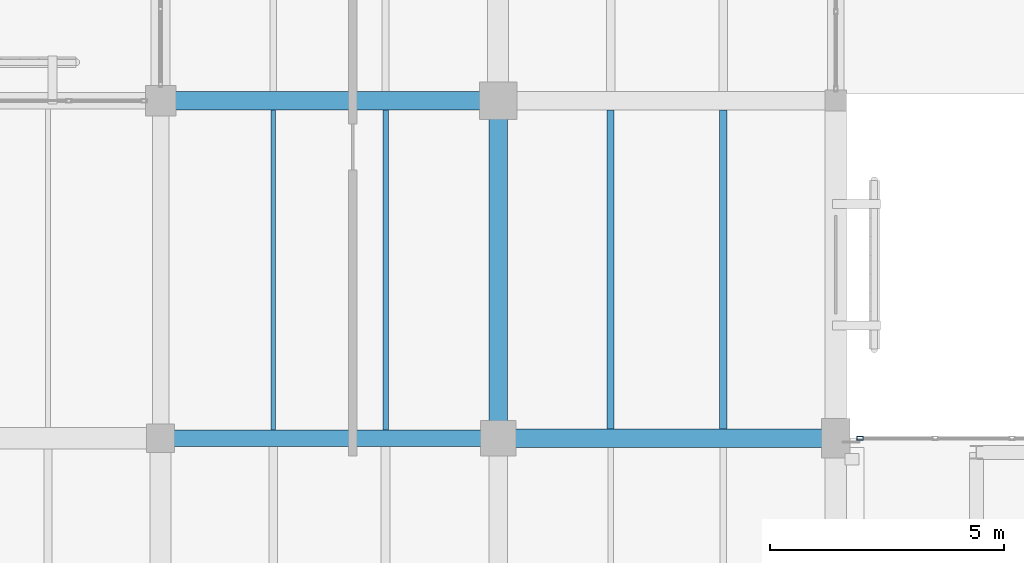
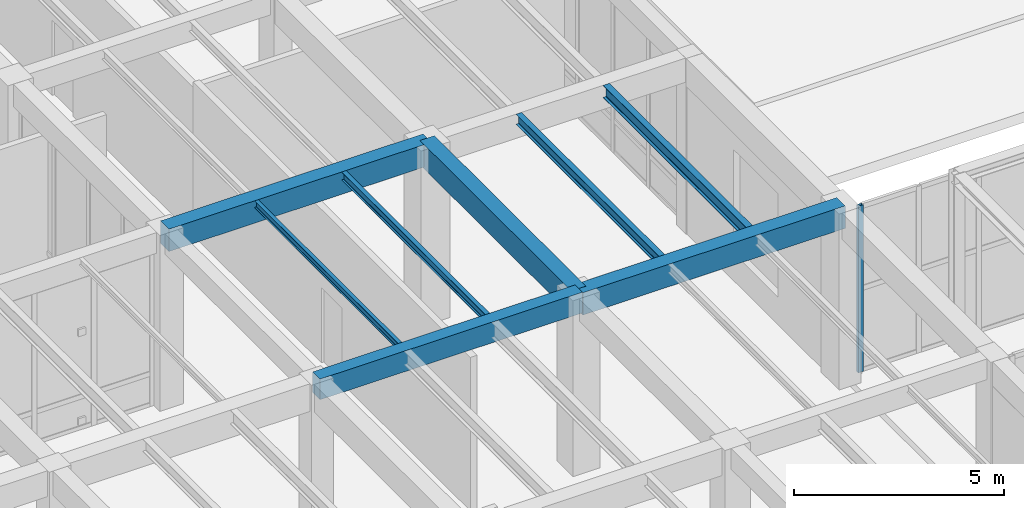
# One storey, part 34 of 169: 8 beams, 1 member, 1 element without a shape of its own.
"""IFC4 building model written with IfcOpenShell, lengths in metres."""

from ifc_helpers import new_model, si_unit, direction, frame, origin, origin_2d, place, context, subcontext, project, spatial, rectangle, hollow_rectangle, i_section, extrude, material, layer, layer_set, material_profile, profile_set, type_object, element, aggregate, save


model = new_model("IFC4")

# Units and contexts
model_context = context("Model", 3, precision=1e-05, world=origin(), true_north=direction((0.0, 1.0)))
body_context = subcontext(model_context, "Body", "Model", "MODEL_VIEW")
ifc_project = project(units=[si_unit("LENGTHUNIT", "METRE"), si_unit("AREAUNIT", "SQUARE_METRE"), si_unit("VOLUMEUNIT", "CUBIC_METRE"), si_unit("PLANEANGLEUNIT", "RADIAN"), si_unit("MASSUNIT", "GRAM", prefix="KILO")], contexts=[model_context])

# Site, building, storey
site_placement = place(None, origin())
site = spatial("IfcSite", under=ifc_project, at=site_placement, CompositionType="ELEMENT")
building_placement = place(site_placement, origin())
building = spatial("IfcBuilding", under=site, at=building_placement, Name="Mazaris Harbour Polytechnic", CompositionType="ELEMENT")
storey_placement = place(building_placement, origin())
storey = spatial("IfcBuildingStorey", under=building, at=storey_placement, Name="L00", CompositionType="ELEMENT", Elevation=0.0)

# Curtain wall, member
ifc_material_1 = material(Name="Anodised Bronze Aluminium and Low-E Glass", Category="aluminium")
ifc_layer = layer(ifc_material_1, 0.139892578125, Name="Anodised Bronze Aluminium and Low-E Glass")
ifc_layer_set = layer_set([ifc_layer], Name="Anodised Bronze Aluminium and Low-E Glass")
curtain_wall_type = type_object("IfcCurtainWallType", Name="Seismic Link Bridge Glazing", PredefinedType="NOTDEFINED", material=ifc_layer_set)
curtain_wall_placement = place(storey_placement, origin())
curtain_wall = element("IfcCurtainWall", 1, at=curtain_wall_placement, inside=storey, type_object=curtain_wall_type, Name="PB-W1 L00 Bridge Glazing", PredefinedType="NOTDEFINED")
ifc_material_2 = material(Name="Anodised Bronze Steel S355", Category="steel")
ifc_material_profile_1 = material_profile(ifc_material_2, hollow_rectangle(XDim=0.080078125, YDim=0.139892578125, WallThickness=0.00634765625, at=origin_2d()), Name="RHS 80x140x6.3")
ifc_profile_set_1 = profile_set([ifc_material_profile_1], Name="Anodised Bronze Steel S355")
member_type = type_object("IfcMemberType", Name="Curtain Mullion RHS80x140", PredefinedType="MULLION", material=ifc_profile_set_1)
member_placement = place(storey_placement, frame((43.719970703125, 28.800048828125, 0.0), z_axis=(0.0, 0.0, 1.0), x_axis=(0.0, -1.0, 0.0)))
member = element("IfcMember", 2, at=member_placement, type_object=member_type, Name="CW-05 mullion 7", PredefinedType="MULLION", context=body_context, shape_type="SweptSolid", body=[
    extrude(hollow_rectangle(XDim=0.080078125, YDim=0.139892578125, WallThickness=0.00634765625, at=origin_2d()), origin(), (0.0, 0.0, 1.0), 4.8349609375),
])
aggregate(curtain_wall, [member])

# Beams
ifc_material_3 = material(Name="Concrete C35/45", Category="concrete")
ifc_material_profile_2 = material_profile(ifc_material_3, rectangle(XDim=0.35009765625, YDim=0.60009765625, at=origin_2d()), Name="RECT350x600")
ifc_profile_set_2 = profile_set([ifc_material_profile_2], Name="Concrete C35/45")
beam_type_1 = type_object("IfcBeamType", Name="RC Girder 350x600", PredefinedType="BEAM", material=ifc_profile_set_2)
beam_1_placement = place(storey_placement, frame((28.800048828125, 28.800048828125, 4.800048828125), z_axis=(1.0, 0.0, 0.0), x_axis=(0.0, 1.0, 0.0)))
element("IfcBeam", 3, at=beam_1_placement, inside=storey, type_object=beam_type_1, Name="V4 L00 Girder 1375", PredefinedType="BEAM", context=body_context, shape_type="SweptSolid", body=[
    extrude(rectangle(XDim=0.35009765625, YDim=0.60009765625, at=origin_2d()), origin(), (0.0, 0.0, 1.0), 7.199951171875),
])
ifc_material_4 = material(Name="Concrete C35/45", Category="concrete")
ifc_material_profile_3 = material_profile(ifc_material_4, rectangle(XDim=0.39990234375, YDim=0.64990234375, at=origin_2d()), Name="RECT400x650")
ifc_profile_set_3 = profile_set([ifc_material_profile_3], Name="Concrete C35/45")
beam_type_2 = type_object("IfcBeamType", Name="RC Girder 400x650", PredefinedType="BEAM", material=ifc_profile_set_3)
for number, where, z_axis, x_axis, name in (
    (4, (36.0, 28.800048828125, 4.77490234375), (1.0, 0.0, 0.0), (0.0, 1.0, 0.0), "V4 L00 Girder 1376"),
    (5, (28.800048828125, 36.0, 4.77490234375), (1.0, 0.0, 0.0), (0.0, 1.0, 0.0), "V4 L00 Girder 1381"),
):
    element("IfcBeam", number, at=place(storey_placement, frame(where, z_axis=z_axis, x_axis=x_axis)), inside=storey, type_object=beam_type_2, Name=name, PredefinedType="BEAM", context=body_context, shape_type="SweptSolid", body=[
        extrude(rectangle(XDim=0.39990234375, YDim=0.64990234375, at=origin_2d()), origin(), (0.0, 0.0, 1.0), 7.199951171875),
    ])
ifc_material_5 = material(Name="Concrete C35/45", Category="concrete")
ifc_material_profile_4 = material_profile(ifc_material_5, rectangle(XDim=0.39990234375, YDim=0.699951171875, at=origin_2d()), Name="RECT400x700")
ifc_profile_set_4 = profile_set([ifc_material_profile_4], Name="Concrete C35/45")
beam_type_3 = type_object("IfcBeamType", Name="RC Girder 400x700", PredefinedType="BEAM", material=ifc_profile_set_4)
beam_2_placement = place(storey_placement, frame((36.0, 28.800048828125, 4.75), z_axis=(0.0, 1.0, 0.0), x_axis=(-1.0, 0.0, 0.0)))
element("IfcBeam", 6, at=beam_2_placement, inside=storey, type_object=beam_type_3, Name="V4 L00 Tie Girder 1482", PredefinedType="BEAM", context=body_context, shape_type="SweptSolid", body=[
    extrude(rectangle(XDim=0.39990234375, YDim=0.699951171875, at=origin_2d()), origin(), (0.0, 0.0, 1.0), 7.199951171875),
])
ifc_material_6 = material(Name="Steel S355", Category="steel")
ifc_material_profile_5 = material_profile(ifc_material_6, i_section(OverallWidth=0.10009765625, OverallDepth=0.199951171875, WebThickness=0.005615234375, FlangeThickness=0.008544921875, FilletRadius=0.011962890625, at=origin_2d()), Name="IPE 200")
ifc_profile_set_5 = profile_set([ifc_material_profile_5], Name="Steel S355")
beam_type_4 = type_object("IfcBeamType", Name="Steel Joist IPE200", PredefinedType="JOIST", material=ifc_profile_set_5)
beam_3_placement = place(storey_placement, frame((31.199951171875, 28.97509765625, 5.0), z_axis=(0.0, 1.0, 0.0), x_axis=(-1.0, 0.0, 0.0)))
element("IfcBeam", 7, at=beam_3_placement, inside=storey, type_object=beam_type_4, Name="V4 L00 Floor Joist 1582", PredefinedType="JOIST", context=body_context, shape_type="SweptSolid", body=[
    extrude(i_section(OverallWidth=0.10009765625, OverallDepth=0.199951171875, WebThickness=0.005615234375, FlangeThickness=0.008544921875, FilletRadius=0.011962890625, at=origin_2d()), origin(), (0.0, 0.0, 1.0), 6.824951171875),
])
ifc_material_7 = material(Name="Steel S355", Category="steel")
ifc_material_profile_6 = material_profile(ifc_material_7, i_section(OverallWidth=0.1201171875, OverallDepth=0.239990234375, WebThickness=0.006103515625, FlangeThickness=0.009765625, FilletRadius=0.014892578125, at=origin_2d()), Name="IPE 240")
ifc_profile_set_6 = profile_set([ifc_material_profile_6], Name="Steel S355")
beam_type_5 = type_object("IfcBeamType", Name="Steel Joist IPE240", PredefinedType="JOIST", material=ifc_profile_set_6)
beam_4_placement = place(storey_placement, frame((33.60009765625, 28.97509765625, 4.97998046875), z_axis=(0.0, 1.0, 0.0), x_axis=(-1.0, 0.0, 0.0)))
element("IfcBeam", 8, at=beam_4_placement, inside=storey, type_object=beam_type_5, Name="V4 L00 Floor Joist 1583", PredefinedType="JOIST", context=body_context, shape_type="SweptSolid", body=[
    extrude(i_section(OverallWidth=0.1201171875, OverallDepth=0.239990234375, WebThickness=0.006103515625, FlangeThickness=0.009765625, FilletRadius=0.014892578125, at=origin_2d()), origin(), (0.0, 0.0, 1.0), 6.824951171875),
])
ifc_material_8 = material(Name="Steel S355", Category="steel")
ifc_material_profile_7 = material_profile(ifc_material_8, i_section(OverallWidth=0.14990234375, OverallDepth=0.300048828125, WebThickness=0.007080078125, FlangeThickness=0.0107421875, FilletRadius=0.014892578125, at=origin_2d()), Name="IPE 300")
ifc_profile_set_7 = profile_set([ifc_material_profile_7], Name="Steel S355")
beam_type_6 = type_object("IfcBeamType", Name="Steel Joist IPE300", PredefinedType="JOIST", material=ifc_profile_set_7)
beam_5_placement = place(storey_placement, frame((38.39990234375, 29.0, 4.949951171875), z_axis=(0.0, 1.0, 0.0), x_axis=(-1.0, 0.0, 0.0)))
element("IfcBeam", 9, at=beam_5_placement, inside=storey, type_object=beam_type_6, Name="V4 L00 Floor Joist 1606", PredefinedType="JOIST", context=body_context, shape_type="SweptSolid", body=[
    extrude(i_section(OverallWidth=0.14990234375, OverallDepth=0.300048828125, WebThickness=0.007080078125, FlangeThickness=0.0107421875, FilletRadius=0.014892578125, at=origin_2d()), origin(), (0.0, 0.0, 1.0), 6.800048828125),
])
ifc_material_9 = material(Name="Steel S355", Category="steel")
ifc_material_profile_8 = material_profile(ifc_material_9, i_section(OverallWidth=0.169921875, OverallDepth=0.360107421875, WebThickness=0.008056640625, FlangeThickness=0.0126953125, FilletRadius=0.01806640625, at=origin_2d()), Name="IPE 360")
ifc_profile_set_8 = profile_set([ifc_material_profile_8], Name="Steel S355")
beam_type_7 = type_object("IfcBeamType", Name="Steel Joist IPE360", PredefinedType="JOIST", material=ifc_profile_set_8)
beam_6_placement = place(storey_placement, frame((40.800048828125, 29.0, 4.919921875), z_axis=(0.0, 1.0, 0.0), x_axis=(-1.0, 0.0, 0.0)))
element("IfcBeam", 10, at=beam_6_placement, inside=storey, type_object=beam_type_7, Name="V4 L00 Floor Joist 1607", PredefinedType="JOIST", context=body_context, shape_type="SweptSolid", body=[
    extrude(i_section(OverallWidth=0.169921875, OverallDepth=0.360107421875, WebThickness=0.008056640625, FlangeThickness=0.0126953125, FilletRadius=0.01806640625, at=origin_2d()), origin(), (0.0, 0.0, 1.0), 6.800048828125),
])

save(model, "model.ifc")
